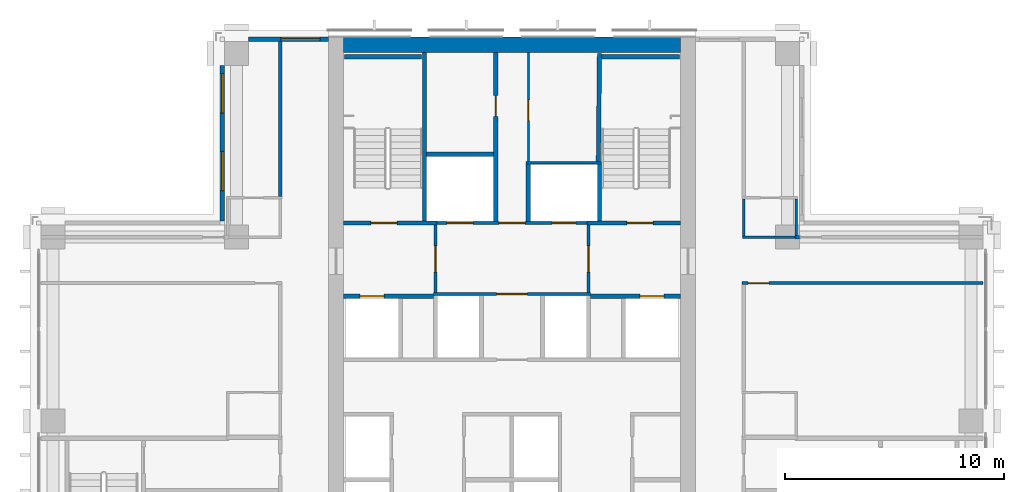
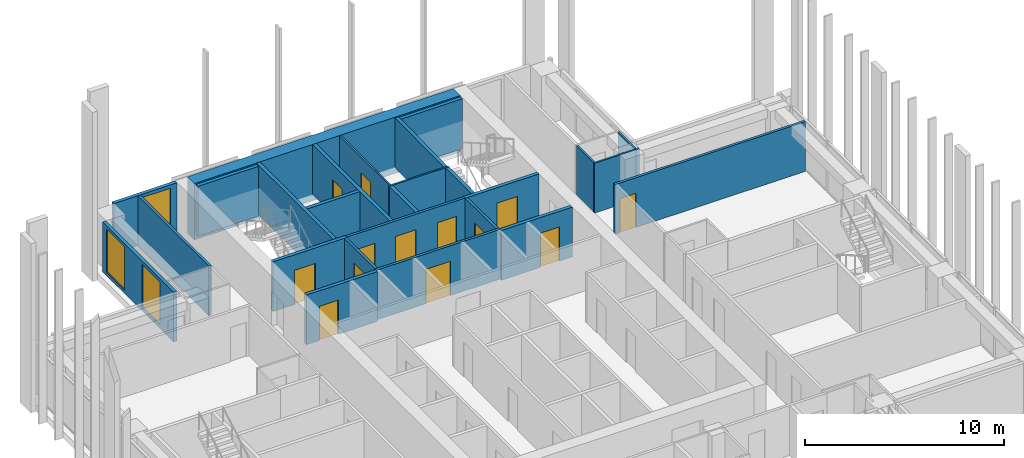
# One storey, part 12 of 16: 27 walls, 13 doors, 3 windows, 16 openings.
"""IFC4 building model written with IfcOpenShell, lengths in metres."""

from ifc_helpers import new_model, si_unit, direction, frame, frame_2d, origin, place, context, subcontext, project, spatial, rectangle, extrude, material, layer, layer_set, type_object, element, fill, save


model = new_model("IFC4")

# Units and contexts
model_context = context("Model", 3, precision=1e-05, world=origin(), true_north=direction((0.0, 1.0)))
body_context = subcontext(model_context, "Body", "Model", "MODEL_VIEW")
ifc_project = project(units=[si_unit("LENGTHUNIT", "METRE"), si_unit("AREAUNIT", "SQUARE_METRE"), si_unit("VOLUMEUNIT", "CUBIC_METRE"), si_unit("PLANEANGLEUNIT", "RADIAN"), si_unit("MASSUNIT", "GRAM", prefix="KILO")], contexts=[model_context])

# Site, building, storey
site_placement = place(None, origin())
site = spatial("IfcSite", under=ifc_project, at=site_placement, CompositionType="ELEMENT")
building_placement = place(site_placement, origin())
building = spatial("IfcBuilding", under=site, at=building_placement, Name="Vermilion Ogive Tower", CompositionType="ELEMENT")
storey_placement = place(building_placement, frame((0.0, 0.0, 133.10009765625)))
storey = spatial("IfcBuildingStorey", under=building, at=storey_placement, Name="L33", CompositionType="ELEMENT", Elevation=133.10009765625)

# Walls
ifc_material_1 = material(Name="Concrete B60", Category="concrete")
ifc_layer_1 = layer(ifc_material_1, 0.699951171875)
ifc_layer_set_1 = layer_set([ifc_layer_1], Name="Core wall 700 B60")
wall_type_1 = type_object("IfcWallType", Name="Core wall 700 B60", PredefinedType="SHEAR", material=ifc_layer_set_1)
wall_1_placement = place(storey_placement, frame((-7.699951171875, 21.39990234375, -0.400146484375), z_axis=(0.0, 0.0, 1.0), x_axis=(1.0, 0.0, 0.0)))
element("IfcWall", 1, at=wall_1_placement, inside=storey, type_object=wall_type_1, Name="L33-CORE-N", PredefinedType="SHEAR", context=body_context, shape_type="SweptSolid", body=[
    extrude(rectangle(XDim=15.39990234375, YDim=0.699951171875, at=frame_2d((7.699951171875, 0.0))), origin(), (0.0, 0.0, 1.0), 3.449951171875),
])
ifc_material_2 = material(Name="Gypsum board partition on steel studs", Category="steel")
ifc_layer_2 = layer(ifc_material_2, 0.10009765625)
ifc_layer_set_2 = layer_set([ifc_layer_2], Name="Partition 100 bath")
wall_type_2 = type_object("IfcWallType", Name="Partition 100 bath", PredefinedType="PARTITIONING", material=ifc_layer_set_2)
wall_2_placement = place(storey_placement, frame((10.550048828125, 12.60009765625, 0.0), z_axis=(0.0, 0.0, 1.0), x_axis=(1.0, 0.0, 0.0)))
element("IfcWall", 2, at=wall_2_placement, inside=storey, type_object=wall_type_2, Name="L33-W-W033", PredefinedType="PARTITIONING", context=body_context, shape_type="SweptSolid", body=[
    extrude(rectangle(XDim=2.5, YDim=0.10009765625, at=frame_2d((1.25, 0.0))), origin(), (0.0, 0.0, 1.0), 3.0498046875),
])
wall_3_placement = place(storey_placement, frame((10.60009765625, 12.64990234375, 0.0), z_axis=(0.0, 0.0, 1.0), x_axis=(0.0, 1.0, 0.0)))
element("IfcWall", 3, at=wall_3_placement, inside=storey, type_object=wall_type_2, Name="L33-W-W061", PredefinedType="PARTITIONING", context=body_context, shape_type="SweptSolid", body=[
    extrude(rectangle(XDim=1.7001953125, YDim=0.10009765625, at=frame_2d((0.85009765625, 0.0))), origin(), (0.0, 0.0, 1.0), 3.0498046875),
])
wall_4_placement = place(storey_placement, frame((13.0, 12.675048828125, 0.0), z_axis=(0.0, 0.0, 1.0), x_axis=(0.0, 1.0, 0.0)))
element("IfcWall", 4, at=wall_4_placement, inside=storey, type_object=wall_type_2, Name="L33-W-W065", PredefinedType="PARTITIONING", context=body_context, shape_type="SweptSolid", body=[
    extrude(rectangle(XDim=1.675048828125, YDim=0.10009765625, at=frame_2d((0.83740234375, 0.0))), origin(), (0.0, 0.0, 1.0), 3.0498046875),
])
wall_5_placement = place(storey_placement, frame((0.64990234375, 16.0, 0.0), z_axis=(0.0, 0.0, 1.0), x_axis=(1.0, 0.0, 0.0)))
element("IfcWall", 5, at=wall_5_placement, inside=storey, type_object=wall_type_2, Name="L33-CK-W-W020", PredefinedType="PARTITIONING", context=body_context, shape_type="SweptSolid", body=[
    extrude(rectangle(XDim=3.4501953125, YDim=0.10009765625, at=frame_2d((1.72509765625, 0.0))), origin(), (0.0, 0.0, 1.0), 3.0498046875),
])

# Wall, opening, door
wall_6_placement = place(storey_placement, frame((0.75, 16.050048828125, 0.0), z_axis=(0.0, 0.0, 1.0), x_axis=(0.0, 1.0, 0.0)))
wall_6 = element("IfcWall", 6, at=wall_6_placement, inside=storey, type_object=wall_type_2, Name="L33-CK-W-W032", PredefinedType="PARTITIONING", context=body_context, shape_type="SweptSolid", body=[
    extrude(rectangle(XDim=4.9990234375, YDim=0.10009765625, at=frame_2d((2.49951171875, 0.0))), origin(), (0.0, 0.0, 1.0), 3.0498046875),
])
opening_1_placement = place(wall_6_placement, frame((1.875, 0.0, 0.0)))
opening_1 = element("IfcOpeningElement", 7, at=opening_1_placement, cuts=wall_6, Name="Opening DAA286", PredefinedType="OPENING", context=body_context, shape_type="SweptSolid", body=[
    extrude(rectangle(XDim=0.949951171875, YDim=2.10009765625, at=frame_2d((0.47509765625, 1.050048828125))), frame((0.0, 0.06005859375, 0.0), z_axis=(0.0, -1.0, 0.0), x_axis=(1.0, 0.0, 0.0)), (0.0, 0.0, 1.0), 0.1201171875),
])
ifc_material_3 = material(Name="Timber door leaf", Category="wood")
door_type_1 = type_object("IfcDoorType", Name="Service door 950 x 2100 FD60", OperationType="SINGLE_SWING_LEFT", PredefinedType="DOOR", material=ifc_material_3)
door_1_placement = place(opening_1_placement, origin())
door_1 = element("IfcDoor", 8, at=door_1_placement, inside=storey, type_object=door_type_1, Name="L33-CK-D-D020", OperationType="SINGLE_SWING_LEFT", OverallHeight=2.10009765625, OverallWidth=0.949951171875, PredefinedType="DOOR", context=body_context, shape_type="SweptSolid", body=[
    extrude(rectangle(XDim=0.949951171875, YDim=2.10009765625, at=frame_2d((0.47509765625, 1.050048828125))), frame((0.0, 0.02490234375, 0.0), z_axis=(0.0, -1.0, 0.0), x_axis=(1.0, 0.0, 0.0)), (0.0, 0.0, 1.0), 0.050048828125),
])
fill(opening_1, door_1)

ifc_material_4 = material(Name="Gypsum board partition on steel studs", Category="steel")
ifc_layer_3 = layer(ifc_material_4, 0.14990234375)
ifc_layer_set_3 = layer_set([ifc_layer_3], Name="Partition 150 corridor")
wall_type_3 = type_object("IfcWallType", Name="Partition 150 corridor", PredefinedType="PARTITIONING", material=ifc_layer_set_3)
wall_7_placement = place(storey_placement, frame((10.52490234375, 10.5, 0.0), z_axis=(0.0, 0.0, 1.0), x_axis=(1.0, 0.0, 0.0)))
wall_7 = element("IfcWall", 9, at=wall_7_placement, inside=storey, type_object=wall_type_3, Name="L33-W-W030", PredefinedType="PARTITIONING", context=body_context, shape_type="SweptSolid", body=[
    extrude(rectangle(XDim=11.025146484375, YDim=0.14990234375, at=frame_2d((5.5126953125, 0.0))), origin(), (0.0, 0.0, 1.0), 3.0498046875),
])
opening_2_placement = place(wall_7_placement, frame((0.275146484375, 0.0, 0.0)))
opening_2 = element("IfcOpeningElement", 10, at=opening_2_placement, cuts=wall_7, Name="Opening D3G1013", PredefinedType="OPENING", context=body_context, shape_type="SweptSolid", body=[
    extrude(rectangle(XDim=0.949951171875, YDim=2.10009765625, at=frame_2d((0.47509765625, 1.050048828125))), frame((0.0, 0.0849609375, 0.0), z_axis=(0.0, -1.0, 0.0), x_axis=(1.0, 0.0, 0.0)), (0.0, 0.0, 1.0), 0.169921875),
])
ifc_material_5 = material(Name="Timber door leaf", Category="wood")
door_type_2 = type_object("IfcDoorType", Name="Unit door 950 x 2100 FD30S", OperationType="SINGLE_SWING_LEFT", PredefinedType="DOOR", material=ifc_material_5)
door_2_placement = place(opening_2_placement, origin())
door_2 = element("IfcDoor", 11, at=door_2_placement, inside=storey, type_object=door_type_2, Name="L33-D-D013", OperationType="SINGLE_SWING_RIGHT", OverallHeight=2.10009765625, OverallWidth=0.949951171875, PredefinedType="DOOR", context=body_context, shape_type="SweptSolid", body=[
    extrude(rectangle(XDim=0.949951171875, YDim=2.10009765625, at=frame_2d((0.47509765625, 1.050048828125))), frame((0.0, 0.02490234375, 0.0), z_axis=(0.0, -1.0, 0.0), x_axis=(1.0, 0.0, 0.0)), (0.0, 0.0, 1.0), 0.050048828125),
])
fill(opening_2, door_2)

# Walls
wall_8_placement = place(storey_placement, frame((12.949951171875, 12.60009765625, 0.0), z_axis=(0.0, 0.0, 1.0), x_axis=(1.0, 0.0, 0.0)))
element("IfcWall", 12, at=wall_8_placement, inside=storey, type_object=wall_type_3, Name="L33-W-W034", PredefinedType="PARTITIONING", context=body_context, shape_type="SweptSolid", body=[
    extrude(rectangle(XDim=0.199951171875, YDim=0.14990234375, at=frame_2d((0.10009765625, 0.0))), origin(), (0.0, 0.0, 1.0), 3.0498046875),
])
wall_9_placement = place(storey_placement, frame((-10.60009765625, 14.449951171875, 0.0), z_axis=(0.0, 0.0, 1.0), x_axis=(0.0, 1.0, 0.0)))
element("IfcWall", 13, at=wall_9_placement, inside=storey, type_object=wall_type_3, Name="L33-W-W048", PredefinedType="PARTITIONING", context=body_context, shape_type="SweptSolid", body=[
    extrude(rectangle(XDim=7.10009765625, YDim=0.14990234375, at=frame_2d((3.550048828125, 0.0))), origin(), (0.0, 0.0, 1.0), 3.0498046875),
])

# Wall, opening, door
wall_10_placement = place(storey_placement, frame((-3.60009765625, 10.0, 0.0), z_axis=(0.0, 0.0, 1.0), x_axis=(1.0, 0.0, 0.0)))
wall_10 = element("IfcWall", 14, at=wall_10_placement, inside=storey, type_object=wall_type_3, Name="L33-CK-W-W016", PredefinedType="PARTITIONING", context=body_context, shape_type="SweptSolid", body=[
    extrude(rectangle(XDim=7.2001953125, YDim=0.14990234375, at=frame_2d((3.60009765625, 0.0))), origin(), (0.0, 0.0, 1.0), 3.0498046875),
])
opening_3_placement = place(wall_10_placement, frame((2.900146484375, 0.0, 0.0)))
opening_3 = element("IfcOpeningElement", 15, at=opening_3_placement, cuts=wall_10, Name="Opening DAA279", PredefinedType="OPENING", context=body_context, shape_type="SweptSolid", body=[
    extrude(rectangle(XDim=1.39990234375, YDim=2.10009765625, at=frame_2d((0.699951171875, 1.050048828125))), frame((0.0, 0.0849609375, 0.0), z_axis=(0.0, -1.0, 0.0), x_axis=(1.0, 0.0, 0.0)), (0.0, 0.0, 1.0), 0.169921875),
])
ifc_material_6 = material(Name="Timber door leaf", Category="wood")
door_type_3 = type_object("IfcDoorType", Name="Lobby door 1400 x 2100 FD60S", OperationType="SINGLE_SWING_LEFT", PredefinedType="DOOR", material=ifc_material_6)
door_3_placement = place(opening_3_placement, origin())
door_3 = element("IfcDoor", 16, at=door_3_placement, inside=storey, type_object=door_type_3, Name="L33-CK-D-D015", OperationType="SINGLE_SWING_RIGHT", OverallHeight=2.10009765625, OverallWidth=1.39990234375, PredefinedType="DOOR", context=body_context, shape_type="SweptSolid", body=[
    extrude(rectangle(XDim=1.39990234375, YDim=2.10009765625, at=frame_2d((0.699951171875, 1.050048828125))), frame((0.0, 0.02490234375, 0.0), z_axis=(0.0, -1.0, 0.0), x_axis=(1.0, 0.0, 0.0)), (0.0, 0.0, 1.0), 0.050048828125),
])
fill(opening_3, door_3)

# Wall, openings, doors
wall_11_placement = place(storey_placement, frame((-3.574951171875, 13.25, 0.0), z_axis=(0.0, 0.0, 1.0), x_axis=(1.0, 0.0, 0.0)))
wall_11 = element("IfcWall", 17, at=wall_11_placement, inside=storey, type_object=wall_type_3, Name="L33-CK-W-W018", PredefinedType="PARTITIONING", context=body_context, shape_type="SweptSolid", body=[
    extrude(rectangle(XDim=7.14990234375, YDim=0.14990234375, at=frame_2d((3.574951171875, 0.0))), origin(), (0.0, 0.0, 1.0), 3.0498046875),
])
opening_4_placement = place(wall_11_placement, frame((0.599853515625, 0.0, 0.0)))
opening_4 = element("IfcOpeningElement", 18, at=opening_4_placement, cuts=wall_11, Name="Opening DAA299", PredefinedType="OPENING", context=body_context, shape_type="SweptSolid", body=[
    extrude(rectangle(XDim=1.199951171875, YDim=2.10009765625, at=frame_2d((0.60009765625, 1.050048828125))), frame((0.0, 0.0849609375, 0.0), z_axis=(0.0, -1.0, 0.0), x_axis=(1.0, 0.0, 0.0)), (0.0, 0.0, 1.0), 0.169921875),
])
opening_5_placement = place(wall_11_placement, frame((5.39990234375, 0.0, 0.0)))
opening_5 = element("IfcOpeningElement", 19, at=opening_5_placement, cuts=wall_11, Name="Opening DAA298", PredefinedType="OPENING", context=body_context, shape_type="SweptSolid", body=[
    extrude(rectangle(XDim=1.10009765625, YDim=2.10009765625, at=frame_2d((0.550048828125, 1.050048828125))), frame((0.0, 0.0849609375, 0.0), z_axis=(0.0, -1.0, 0.0), x_axis=(1.0, 0.0, 0.0)), (0.0, 0.0, 1.0), 0.169921875),
])
opening_6_placement = place(wall_11_placement, frame((2.974853515625, 0.0, 0.0)))
opening_6 = element("IfcOpeningElement", 20, at=opening_6_placement, cuts=wall_11, Name="Opening DAA280", PredefinedType="OPENING", context=body_context, shape_type="SweptSolid", body=[
    extrude(rectangle(XDim=1.199951171875, YDim=2.10009765625, at=frame_2d((0.60009765625, 1.050048828125))), frame((0.0, 0.0849609375, 0.0), z_axis=(0.0, -1.0, 0.0), x_axis=(1.0, 0.0, 0.0)), (0.0, 0.0, 1.0), 0.169921875),
])
ifc_material_7 = material(Name="Stainless steel", Category="steel")
door_type_4 = type_object("IfcDoorType", Name="Lift landing door 1100 x 2100", OperationType="SLIDING_TO_LEFT", PredefinedType="DOOR", material=ifc_material_7)
door_4_placement = place(opening_5_placement, origin())
door_4 = element("IfcDoor", 21, at=door_4_placement, inside=storey, type_object=door_type_4, Name="L33-CK-D-D017", OperationType="SLIDING_TO_LEFT", OverallHeight=2.10009765625, OverallWidth=1.10009765625, PredefinedType="DOOR", context=body_context, shape_type="SweptSolid", body=[
    extrude(rectangle(XDim=1.10009765625, YDim=2.10009765625, at=frame_2d((0.550048828125, 1.050048828125))), frame((0.0, 0.02490234375, 0.0), z_axis=(0.0, -1.0, 0.0), x_axis=(1.0, 0.0, 0.0)), (0.0, 0.0, 1.0), 0.050048828125),
])
fill(opening_5, door_4)
ifc_material_8 = material(Name="Stainless steel", Category="steel")
door_type_5 = type_object("IfcDoorType", Name="Lift landing door 1200 x 2100", OperationType="SLIDING_TO_LEFT", PredefinedType="DOOR", material=ifc_material_8)
door_5_placement = place(opening_4_placement, origin())
door_5 = element("IfcDoor", 22, at=door_5_placement, inside=storey, type_object=door_type_5, Name="L33-CK-D-D016", OperationType="SLIDING_TO_RIGHT", OverallHeight=2.10009765625, OverallWidth=1.199951171875, PredefinedType="DOOR", context=body_context, shape_type="SweptSolid", body=[
    extrude(rectangle(XDim=1.199951171875, YDim=2.10009765625, at=frame_2d((0.60009765625, 1.050048828125))), frame((0.0, 0.02490234375, 0.0), z_axis=(0.0, -1.0, 0.0), x_axis=(1.0, 0.0, 0.0)), (0.0, 0.0, 1.0), 0.050048828125),
])
fill(opening_4, door_5)
ifc_material_9 = material(Name="Timber door leaf", Category="wood")
door_type_6 = type_object("IfcDoorType", Name="Service door 1200 x 2100 FD60", OperationType="SINGLE_SWING_LEFT", PredefinedType="DOOR", material=ifc_material_9)
door_6_placement = place(opening_6_placement, origin())
door_6 = element("IfcDoor", 23, at=door_6_placement, inside=storey, type_object=door_type_6, Name="L33-CK-D-D018", OperationType="SINGLE_SWING_RIGHT", OverallHeight=2.10009765625, OverallWidth=1.199951171875, PredefinedType="DOOR", context=body_context, shape_type="SweptSolid", body=[
    extrude(rectangle(XDim=1.199951171875, YDim=2.10009765625, at=frame_2d((0.60009765625, 1.050048828125))), frame((0.0, 0.02490234375, 0.0), z_axis=(0.0, -1.0, 0.0), x_axis=(1.0, 0.0, 0.0)), (0.0, 0.0, 1.0), 0.050048828125),
])
fill(opening_6, door_6)

# Wall, opening, door
wall_12_placement = place(storey_placement, frame((-3.5, 10.074951171875, 0.0), z_axis=(0.0, 0.0, 1.0), x_axis=(0.0, 1.0, 0.0)))
wall_12 = element("IfcWall", 24, at=wall_12_placement, inside=storey, type_object=wall_type_3, Name="L33-CK-W-W026", PredefinedType="PARTITIONING", context=body_context, shape_type="SweptSolid", body=[
    extrude(rectangle(XDim=3.074951171875, YDim=0.14990234375, at=frame_2d((1.53759765625, 0.0))), origin(), (0.0, 0.0, 1.0), 3.0498046875),
])
opening_7_placement = place(wall_12_placement, frame((0.925048828125, 0.0, 0.0)))
opening_7 = element("IfcOpeningElement", 25, at=opening_7_placement, cuts=wall_12, Name="Opening DAA276", PredefinedType="OPENING", context=body_context, shape_type="SweptSolid", body=[
    extrude(rectangle(XDim=1.199951171875, YDim=2.10009765625, at=frame_2d((0.60009765625, 1.050048828125))), frame((0.0, 0.0849609375, 0.0), z_axis=(0.0, -1.0, 0.0), x_axis=(1.0, 0.0, 0.0)), (0.0, 0.0, 1.0), 0.169921875),
])
ifc_material_10 = material(Name="Timber door leaf", Category="wood")
door_type_7 = type_object("IfcDoorType", Name="Lobby door 1200 x 2100 FD60S", OperationType="SINGLE_SWING_LEFT", PredefinedType="DOOR", material=ifc_material_10)
door_7_placement = place(opening_7_placement, origin())
door_7 = element("IfcDoor", 26, at=door_7_placement, inside=storey, type_object=door_type_7, Name="L33-CK-D-D021", OperationType="SINGLE_SWING_RIGHT", OverallHeight=2.10009765625, OverallWidth=1.199951171875, PredefinedType="DOOR", context=body_context, shape_type="SweptSolid", body=[
    extrude(rectangle(XDim=1.199951171875, YDim=2.10009765625, at=frame_2d((0.60009765625, 1.050048828125))), frame((0.0, 0.02490234375, 0.0), z_axis=(0.0, -1.0, 0.0), x_axis=(1.0, 0.0, 0.0)), (0.0, 0.0, 1.0), 0.050048828125),
])
fill(opening_7, door_7)

wall_13_placement = place(storey_placement, frame((3.5, 10.074951171875, 0.0), z_axis=(0.0, 0.0, 1.0), x_axis=(0.0, 1.0, 0.0)))
wall_13 = element("IfcWall", 27, at=wall_13_placement, inside=storey, type_object=wall_type_3, Name="L33-CK-W-W036", PredefinedType="PARTITIONING", context=body_context, shape_type="SweptSolid", body=[
    extrude(rectangle(XDim=3.074951171875, YDim=0.14990234375, at=frame_2d((1.53759765625, 0.0))), origin(), (0.0, 0.0, 1.0), 3.0498046875),
])
opening_8_placement = place(wall_13_placement, frame((0.925048828125, 0.0, 0.0)))
opening_8 = element("IfcOpeningElement", 28, at=opening_8_placement, cuts=wall_13, Name="Opening DAA277", PredefinedType="OPENING", context=body_context, shape_type="SweptSolid", body=[
    extrude(rectangle(XDim=1.199951171875, YDim=2.10009765625, at=frame_2d((0.60009765625, 1.050048828125))), frame((0.0, 0.0849609375, 0.0), z_axis=(0.0, -1.0, 0.0), x_axis=(1.0, 0.0, 0.0)), (0.0, 0.0, 1.0), 0.169921875),
])
door_8_placement = place(opening_8_placement, origin())
door_8 = element("IfcDoor", 29, at=door_8_placement, inside=storey, type_object=door_type_7, Name="L33-CK-D-D022", OperationType="SINGLE_SWING_LEFT", OverallHeight=2.10009765625, OverallWidth=1.199951171875, PredefinedType="DOOR", context=body_context, shape_type="SweptSolid", body=[
    extrude(rectangle(XDim=1.199951171875, YDim=2.10009765625, at=frame_2d((0.60009765625, 1.050048828125))), frame((0.0, 0.02490234375, 0.0), z_axis=(0.0, -1.0, 0.0), x_axis=(1.0, 0.0, 0.0)), (0.0, 0.0, 1.0), 0.050048828125),
])
fill(opening_8, door_8)

ifc_material_11 = material(Name="Gypsum board partition on steel studs", Category="steel")
ifc_layer_4 = layer(ifc_material_11, 0.199951171875)
ifc_layer_set_4 = layer_set([ifc_layer_4], Name="Partition 200 party")
wall_type_4 = type_object("IfcWallType", Name="Partition 200 party", PredefinedType="PARTITIONING", material=ifc_layer_set_4)
wall_14_placement = place(storey_placement, frame((-7.698974609375, 9.89990234375, 0.0), z_axis=(0.0, 0.0, 1.0), x_axis=(1.0, 0.0, 0.0)))
wall_14 = element("IfcWall", 30, at=wall_14_placement, inside=storey, type_object=wall_type_4, Name="L33-CK-W-W014", PredefinedType="PARTITIONING", context=body_context, shape_type="SweptSolid", body=[
    extrude(rectangle(XDim=4.098876953125, YDim=0.199951171875, at=frame_2d((2.04931640625, 0.0))), origin(), (0.0, 0.0, 1.0), 3.0498046875),
])
opening_9_placement = place(wall_14_placement, frame((0.7490234375, 0.0, 0.0)))
opening_9 = element("IfcOpeningElement", 31, at=opening_9_placement, cuts=wall_14, Name="Opening DAA296", PredefinedType="OPENING", context=body_context, shape_type="SweptSolid", body=[
    extrude(rectangle(XDim=1.10009765625, YDim=2.10009765625, at=frame_2d((0.550048828125, 1.050048828125))), frame((0.0, 0.10986328125, 0.0), z_axis=(0.0, -1.0, 0.0), x_axis=(1.0, 0.0, 0.0)), (0.0, 0.0, 1.0), 0.219970703125),
])
door_9_placement = place(opening_9_placement, origin())
door_9 = element("IfcDoor", 32, at=door_9_placement, inside=storey, type_object=door_type_4, Name="L33-CK-D-D011", OperationType="SLIDING_TO_RIGHT", OverallHeight=2.10009765625, OverallWidth=1.10009765625, PredefinedType="DOOR", context=body_context, shape_type="SweptSolid", body=[
    extrude(rectangle(XDim=1.10009765625, YDim=2.10009765625, at=frame_2d((0.550048828125, 1.050048828125))), frame((0.0, 0.02490234375, 0.0), z_axis=(0.0, -1.0, 0.0), x_axis=(1.0, 0.0, 0.0)), (0.0, 0.0, 1.0), 0.050048828125),
])
fill(opening_9, door_9)

wall_15_placement = place(storey_placement, frame((3.60009765625, 9.89990234375, 0.0), z_axis=(0.0, 0.0, 1.0), x_axis=(1.0, 0.0, 0.0)))
wall_15 = element("IfcWall", 33, at=wall_15_placement, inside=storey, type_object=wall_type_4, Name="L33-CK-W-W015", PredefinedType="PARTITIONING", context=body_context, shape_type="SweptSolid", body=[
    extrude(rectangle(XDim=4.098876953125, YDim=0.199951171875, at=frame_2d((2.04931640625, 0.0))), origin(), (0.0, 0.0, 1.0), 3.0498046875),
])
opening_10_placement = place(wall_15_placement, frame((2.25, 0.0, 0.0)))
opening_10 = element("IfcOpeningElement", 34, at=opening_10_placement, cuts=wall_15, Name="Opening DAA297", PredefinedType="OPENING", context=body_context, shape_type="SweptSolid", body=[
    extrude(rectangle(XDim=1.10009765625, YDim=2.10009765625, at=frame_2d((0.550048828125, 1.050048828125))), frame((0.0, 0.10986328125, 0.0), z_axis=(0.0, -1.0, 0.0), x_axis=(1.0, 0.0, 0.0)), (0.0, 0.0, 1.0), 0.219970703125),
])
door_10_placement = place(opening_10_placement, origin())
door_10 = element("IfcDoor", 35, at=door_10_placement, inside=storey, type_object=door_type_4, Name="L33-CK-D-D013", OperationType="SLIDING_TO_LEFT", OverallHeight=2.10009765625, OverallWidth=1.10009765625, PredefinedType="DOOR", context=body_context, shape_type="SweptSolid", body=[
    extrude(rectangle(XDim=1.10009765625, YDim=2.10009765625, at=frame_2d((0.550048828125, 1.050048828125))), frame((0.0, 0.02490234375, 0.0), z_axis=(0.0, -1.0, 0.0), x_axis=(1.0, 0.0, 0.0)), (0.0, 0.0, 1.0), 0.050048828125),
])
fill(opening_10, door_10)

# Wall
wall_16_placement = place(storey_placement, frame((-3.89990234375, 16.39990234375, 0.0), z_axis=(0.0, 0.0, 1.0), x_axis=(1.0, 0.0, 0.0)))
element("IfcWall", 36, at=wall_16_placement, inside=storey, type_object=wall_type_4, Name="L33-CK-W-W021", PredefinedType="PARTITIONING", context=body_context, shape_type="SweptSolid", body=[
    extrude(rectangle(XDim=3.0498046875, YDim=0.199951171875, at=frame_2d((1.52490234375, 0.0))), origin(), (0.0, 0.0, 1.0), 3.0498046875),
])

# Wall, opening, door
wall_17_placement = place(storey_placement, frame((-0.75, 13.324951171875, 0.0), z_axis=(0.0, 0.0, 1.0), x_axis=(0.0, 1.0, 0.0)))
wall_17 = element("IfcWall", 37, at=wall_17_placement, inside=storey, type_object=wall_type_4, Name="L33-CK-W-W029", PredefinedType="PARTITIONING", context=body_context, shape_type="SweptSolid", body=[
    extrude(rectangle(XDim=7.72412109375, YDim=0.199951171875, at=frame_2d((3.862060546875, 0.0))), origin(), (0.0, 0.0, 1.0), 3.0498046875),
])
opening_11_placement = place(wall_17_placement, frame((4.800048828125, 0.0, 0.0)))
opening_11 = element("IfcOpeningElement", 38, at=opening_11_placement, cuts=wall_17, Name="Opening DAA285", PredefinedType="OPENING", context=body_context, shape_type="SweptSolid", body=[
    extrude(rectangle(XDim=0.949951171875, YDim=2.10009765625, at=frame_2d((0.47509765625, 1.050048828125))), frame((0.0, 0.10986328125, 0.0), z_axis=(0.0, -1.0, 0.0), x_axis=(1.0, 0.0, 0.0)), (0.0, 0.0, 1.0), 0.219970703125),
])
door_11_placement = place(opening_11_placement, origin())
door_11 = element("IfcDoor", 39, at=door_11_placement, inside=storey, type_object=door_type_1, Name="L33-CK-D-D019", OperationType="SINGLE_SWING_RIGHT", OverallHeight=2.10009765625, OverallWidth=0.949951171875, PredefinedType="DOOR", context=body_context, shape_type="SweptSolid", body=[
    extrude(rectangle(XDim=0.949951171875, YDim=2.10009765625, at=frame_2d((0.47509765625, 1.050048828125))), frame((0.0, 0.02490234375, 0.0), z_axis=(0.0, -1.0, 0.0), x_axis=(1.0, 0.0, 0.0)), (0.0, 0.0, 1.0), 0.050048828125),
])
fill(opening_11, door_11)

# Wall
wall_18_placement = place(storey_placement, frame((0.75, 13.324951171875, 0.0), z_axis=(0.0, 0.0, 1.0), x_axis=(0.0, 1.0, 0.0)))
element("IfcWall", 40, at=wall_18_placement, inside=storey, type_object=wall_type_4, Name="L33-CK-W-W031", PredefinedType="PARTITIONING", context=body_context, shape_type="SweptSolid", body=[
    extrude(rectangle(XDim=2.625, YDim=0.199951171875, at=frame_2d((1.3125, 0.0))), origin(), (0.0, 0.0, 1.0), 3.0498046875),
])

# Wall, opening, door
ifc_material_12 = material(Name="Concrete B60", Category="concrete")
ifc_layer_5 = layer(ifc_material_12, 0.199951171875)
ifc_layer_set_5 = layer_set([ifc_layer_5], Name="Stair shaft wall 200 Concrete B60")
wall_type_5 = type_object("IfcWallType", Name="Stair shaft wall 200 Concrete B60", PredefinedType="SOLIDWALL", material=ifc_layer_set_5)
wall_19_placement = place(storey_placement, frame((-7.698974609375, 13.25, 0.0), z_axis=(0.0, 0.0, 1.0), x_axis=(1.0, 0.0, 0.0)))
wall_19 = element("IfcWall", 41, at=wall_19_placement, inside=storey, type_object=wall_type_5, Name="L33-CK-W-W017", PredefinedType="SOLIDWALL", context=body_context, shape_type="SweptSolid", body=[
    extrude(rectangle(XDim=4.27392578125, YDim=0.199951171875, at=frame_2d((2.136962890625, 0.0))), origin(), (0.0, 0.0, 1.0), 3.0498046875),
])
opening_12_placement = place(wall_19_placement, frame((1.2490234375, 0.0, 0.0)))
opening_12 = element("IfcOpeningElement", 42, at=opening_12_placement, cuts=wall_19, Name="Opening DAA289", PredefinedType="OPENING", context=body_context, shape_type="SweptSolid", body=[
    extrude(rectangle(XDim=1.199951171875, YDim=2.10009765625, at=frame_2d((0.60009765625, 1.050048828125))), frame((0.0, 0.10986328125, 0.0), z_axis=(0.0, -1.0, 0.0), x_axis=(1.0, 0.0, 0.0)), (0.0, 0.0, 1.0), 0.219970703125),
])
ifc_material_13 = material(Name="Timber door leaf", Category="wood")
door_type_8 = type_object("IfcDoorType", Name="Stair door 1200 x 2100 FD60S", OperationType="SINGLE_SWING_LEFT", PredefinedType="DOOR", material=ifc_material_13)
door_12_placement = place(opening_12_placement, origin())
door_12 = element("IfcDoor", 43, at=door_12_placement, inside=storey, type_object=door_type_8, Name="L33-CK-D-D010", OperationType="SINGLE_SWING_LEFT", OverallHeight=2.10009765625, OverallWidth=1.199951171875, PredefinedType="DOOR", context=body_context, shape_type="SweptSolid", body=[
    extrude(rectangle(XDim=1.199951171875, YDim=2.10009765625, at=frame_2d((0.60009765625, 1.050048828125))), frame((0.0, 0.02490234375, 0.0), z_axis=(0.0, -1.0, 0.0), x_axis=(1.0, 0.0, 0.0)), (0.0, 0.0, 1.0), 0.050048828125),
])
fill(opening_12, door_12)

wall_20_placement = place(storey_placement, frame((3.425048828125, 13.25, 0.0), z_axis=(0.0, 0.0, 1.0), x_axis=(1.0, 0.0, 0.0)))
wall_20 = element("IfcWall", 44, at=wall_20_placement, inside=storey, type_object=wall_type_5, Name="L33-CK-W-W019", PredefinedType="SOLIDWALL", context=body_context, shape_type="SweptSolid", body=[
    extrude(rectangle(XDim=4.27392578125, YDim=0.199951171875, at=frame_2d((2.136962890625, 0.0))), origin(), (0.0, 0.0, 1.0), 3.0498046875),
])
opening_13_placement = place(wall_20_placement, frame((1.824951171875, 0.0, 0.0)))
opening_13 = element("IfcOpeningElement", 45, at=opening_13_placement, cuts=wall_20, Name="Opening DAA290", PredefinedType="OPENING", context=body_context, shape_type="SweptSolid", body=[
    extrude(rectangle(XDim=1.199951171875, YDim=2.10009765625, at=frame_2d((0.60009765625, 1.050048828125))), frame((0.0, 0.10986328125, 0.0), z_axis=(0.0, -1.0, 0.0), x_axis=(1.0, 0.0, 0.0)), (0.0, 0.0, 1.0), 0.219970703125),
])
door_13_placement = place(opening_13_placement, origin())
door_13 = element("IfcDoor", 46, at=door_13_placement, inside=storey, type_object=door_type_8, Name="L33-CK-D-D012", OperationType="SINGLE_SWING_RIGHT", OverallHeight=2.10009765625, OverallWidth=1.199951171875, PredefinedType="DOOR", context=body_context, shape_type="SweptSolid", body=[
    extrude(rectangle(XDim=1.199951171875, YDim=2.10009765625, at=frame_2d((0.60009765625, 1.050048828125))), frame((0.0, 0.02490234375, 0.0), z_axis=(0.0, -1.0, 0.0), x_axis=(1.0, 0.0, 0.0)), (0.0, 0.0, 1.0), 0.050048828125),
])
fill(opening_13, door_13)

# Walls
wall_21_placement = place(storey_placement, frame((-4.0, 13.35009765625, 0.0), z_axis=(0.0, 0.0, 1.0), x_axis=(0.0, 1.0, 0.0)))
element("IfcWall", 47, at=wall_21_placement, inside=storey, type_object=wall_type_5, Name="L33-CK-W-W024", PredefinedType="SOLIDWALL", context=body_context, shape_type="SweptSolid", body=[
    extrude(rectangle(XDim=7.698974609375, YDim=0.199951171875, at=frame_2d((3.849609375, 0.0))), origin(), (0.0, 0.0, 1.0), 3.0498046875),
])
wall_22_placement = place(storey_placement, frame((4.0, 13.35009765625, 0.0), z_axis=(0.0, 0.0, 1.0), x_axis=(0.0, 1.0, 0.0)))
element("IfcWall", 48, at=wall_22_placement, inside=storey, type_object=wall_type_5, Name="L33-CK-W-W037", PredefinedType="SOLIDWALL", context=body_context, shape_type="SweptSolid", body=[
    extrude(rectangle(XDim=2.599853515625, YDim=0.199951171875, at=frame_2d((1.2998046875, 0.0))), origin(), (0.0, 0.0, 1.0), 3.0498046875),
])
wall_23_placement = place(storey_placement, frame((3.949951171875, 16.050048828125, 0.0), z_axis=(0.0, 0.0, 1.0), x_axis=(0.010112452169, 0.999948867848, 0.0)))
element("IfcWall", 49, at=wall_23_placement, inside=storey, type_object=wall_type_5, Name="L33-CK-W-W038", PredefinedType="SOLIDWALL", context=body_context, shape_type="SweptSolid", body=[
    extrude(rectangle(XDim=4.94921875, YDim=0.199951171875, at=frame_2d((2.474609375, 0.0))), origin(), (0.0, 0.0, 1.0), 3.0498046875),
])
wall_24_placement = place(storey_placement, frame((-7.64990234375, 20.85009765625, 0.0), z_axis=(0.0, 0.0, 1.0), x_axis=(1.0, 0.0, 0.0)))
element("IfcWall", 50, at=wall_24_placement, inside=storey, type_object=wall_type_5, Name="L33-SW-R021-N1", PredefinedType="SOLIDWALL", context=body_context, shape_type="SweptSolid", body=[
    extrude(rectangle(XDim=3.5, YDim=0.199951171875, at=frame_2d((1.75, 0.0))), origin(), (0.0, 0.0, 1.0), 3.0498046875),
])
wall_25_placement = place(storey_placement, frame((4.10009765625, 20.85009765625, 0.0), z_axis=(0.0, 0.0, 1.0), x_axis=(1.0, 0.0, 0.0)))
element("IfcWall", 51, at=wall_25_placement, inside=storey, type_object=wall_type_5, Name="L33-SW-R025-N1", PredefinedType="SOLIDWALL", context=body_context, shape_type="SweptSolid", body=[
    extrude(rectangle(XDim=3.5498046875, YDim=0.199951171875, at=frame_2d((1.77490234375, 0.0))), origin(), (0.0, 0.0, 1.0), 3.0498046875),
])

# Wall, opening, window
ifc_material_14 = material(Name="Aluminium window wall framing", Category="aluminium")
ifc_layer_6 = layer(ifc_material_14, 0.199951171875)
ifc_layer_set_6 = layer_set([ifc_layer_6], Name="Window wall")
wall_type_6 = type_object("IfcWallType", Name="Window wall", PredefinedType="STANDARD", material=ifc_layer_set_6)
wall_26_placement = place(storey_placement, frame((-8.39990234375, 21.64990234375, 0.0), z_axis=(0.0, 0.0, 1.0), x_axis=(-1.0, 0.0, 0.0)))
wall_26 = element("IfcWall", 52, at=wall_26_placement, inside=storey, type_object=wall_type_6, Name="Window wall N21", PredefinedType="STANDARD", context=body_context, shape_type="SweptSolid", body=[
    extrude(rectangle(XDim=3.650146484375, YDim=0.199951171875, at=frame_2d((1.8251953125, 0.0))), origin(), (0.0, 0.0, 1.0), 3.0498046875),
])
opening_14_placement = place(wall_26_placement, frame((0.375, 0.0, 0.199951171875)))
opening_14 = element("IfcOpeningElement", 53, at=opening_14_placement, cuts=wall_26, Name="Opening W1-N297", PredefinedType="OPENING", context=body_context, shape_type="SweptSolid", body=[
    extrude(rectangle(XDim=1.800048828125, YDim=2.64990234375, at=frame_2d((0.89990234375, 1.324951171875))), frame((0.0, 0.10986328125, 0.0), z_axis=(0.0, -1.0, 0.0), x_axis=(1.0, 0.0, 0.0)), (0.0, 0.0, 1.0), 0.219970703125),
])
ifc_material_15 = material(Name="Aluminium framed double glazing", Category="aluminium")
window_type = type_object("IfcWindowType", Name="Guest window W1", PartitioningType="SINGLE_PANEL", PredefinedType="WINDOW", material=ifc_material_15)
window_1_placement = place(opening_14_placement, origin())
window_1 = element("IfcWindow", 54, at=window_1_placement, inside=storey, type_object=window_type, Name="Window N297", OverallHeight=2.64990234375, OverallWidth=1.800048828125, PartitioningType="SINGLE_PANEL", PredefinedType="WINDOW", context=body_context, shape_type="SweptSolid", body=[
    extrude(rectangle(XDim=1.800048828125, YDim=2.64990234375, at=frame_2d((0.89990234375, 1.324951171875))), frame((0.0, 0.030029296875, 0.0), z_axis=(0.0, -1.0, 0.0), x_axis=(1.0, 0.0, 0.0)), (0.0, 0.0, 1.0), 0.06005859375),
])
fill(opening_14, window_1)

# Wall, openings, windows
wall_27_placement = place(storey_placement, frame((-13.25, 20.449951171875, 0.0), z_axis=(0.0, 0.0, 1.0), x_axis=(0.0, -1.0, 0.0)))
wall_27 = element("IfcWall", 55, at=wall_27_placement, inside=storey, type_object=wall_type_6, Name="Window wall X51", PredefinedType="STANDARD", context=body_context, shape_type="SweptSolid", body=[
    extrude(rectangle(XDim=7.099853515625, YDim=0.199951171875, at=frame_2d((3.5498046875, 0.0))), origin(), (0.0, 0.0, 1.0), 3.0498046875),
])
opening_15_placement = place(wall_27_placement, frame((3.925048828125, 0.0, 0.199951171875)))
opening_15 = element("IfcOpeningElement", 56, at=opening_15_placement, cuts=wall_27, Name="Opening W1-X503", PredefinedType="OPENING", context=body_context, shape_type="SweptSolid", body=[
    extrude(rectangle(XDim=1.800048828125, YDim=2.64990234375, at=frame_2d((0.89990234375, 1.324951171875))), frame((0.0, 0.10986328125, 0.0), z_axis=(0.0, -1.0, 0.0), x_axis=(1.0, 0.0, 0.0)), (0.0, 0.0, 1.0), 0.219970703125),
])
opening_16_placement = place(wall_27_placement, frame((0.375, 0.0, 0.199951171875)))
opening_16 = element("IfcOpeningElement", 57, at=opening_16_placement, cuts=wall_27, Name="Opening W1-X504", PredefinedType="OPENING", context=body_context, shape_type="SweptSolid", body=[
    extrude(rectangle(XDim=1.800048828125, YDim=2.64990234375, at=frame_2d((0.89990234375, 1.324951171875))), frame((0.0, 0.10986328125, 0.0), z_axis=(0.0, -1.0, 0.0), x_axis=(1.0, 0.0, 0.0)), (0.0, 0.0, 1.0), 0.219970703125),
])
window_2_placement = place(opening_15_placement, origin())
window_2 = element("IfcWindow", 58, at=window_2_placement, inside=storey, type_object=window_type, Name="Window X503", OverallHeight=2.64990234375, OverallWidth=1.800048828125, PartitioningType="SINGLE_PANEL", PredefinedType="WINDOW", context=body_context, shape_type="SweptSolid", body=[
    extrude(rectangle(XDim=1.800048828125, YDim=2.64990234375, at=frame_2d((0.89990234375, 1.324951171875))), frame((0.0, 0.030029296875, 0.0), z_axis=(0.0, -1.0, 0.0), x_axis=(1.0, 0.0, 0.0)), (0.0, 0.0, 1.0), 0.06005859375),
])
fill(opening_15, window_2)
window_3_placement = place(opening_16_placement, origin())
window_3 = element("IfcWindow", 59, at=window_3_placement, inside=storey, type_object=window_type, Name="Window X504", OverallHeight=2.64990234375, OverallWidth=1.800048828125, PartitioningType="SINGLE_PANEL", PredefinedType="WINDOW", context=body_context, shape_type="SweptSolid", body=[
    extrude(rectangle(XDim=1.800048828125, YDim=2.64990234375, at=frame_2d((0.89990234375, 1.324951171875))), frame((0.0, 0.030029296875, 0.0), z_axis=(0.0, -1.0, 0.0), x_axis=(1.0, 0.0, 0.0)), (0.0, 0.0, 1.0), 0.06005859375),
])
fill(opening_16, window_3)

save(model, "model.ifc")
